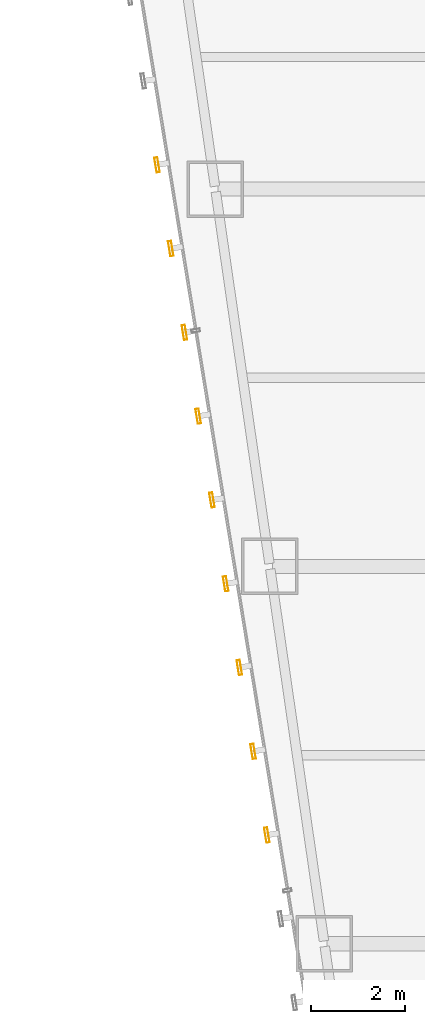
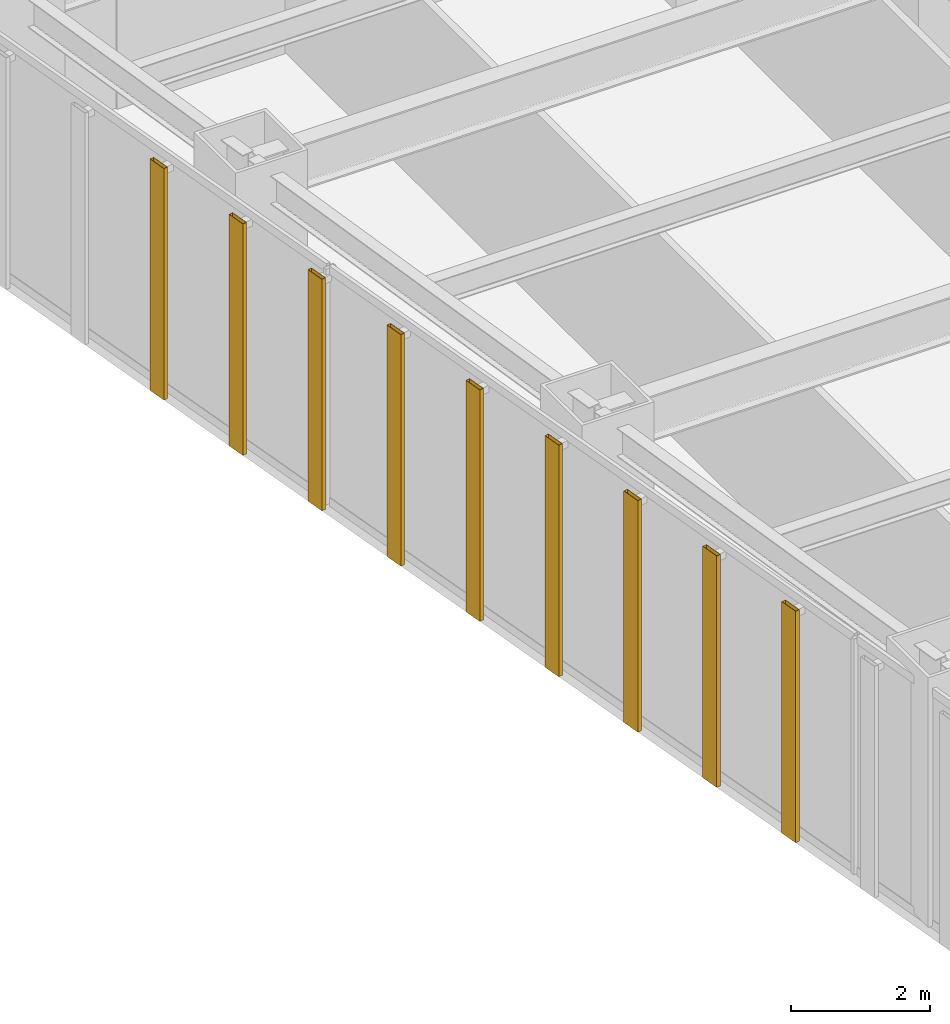
# One storey, part 43 of 47: 9 shading devices.
"""IFC4 building model written with IfcOpenShell, lengths in metres."""

from ifc_helpers import new_model, si_unit, direction, frame, origin, origin_2d, place, context, subcontext, project, spatial, hollow_rectangle, extrude, material, material_profile, profile_set, type_object, element, save


model = new_model("IFC4")

# Units and contexts
model_context = context("Model", 3, precision=1e-05, world=origin(), true_north=direction((0.0, 1.0)))
body_context = subcontext(model_context, "Body", "Model", "MODEL_VIEW")
ifc_project = project(units=[si_unit("LENGTHUNIT", "METRE"), si_unit("AREAUNIT", "SQUARE_METRE"), si_unit("VOLUMEUNIT", "CUBIC_METRE"), si_unit("PLANEANGLEUNIT", "RADIAN"), si_unit("MASSUNIT", "GRAM", prefix="KILO")], contexts=[model_context])

# Site, building, storey
site_placement = place(None, origin())
site = spatial("IfcSite", under=ifc_project, at=site_placement, CompositionType="ELEMENT")
building_placement = place(site_placement, origin())
building = spatial("IfcBuilding", under=site, at=building_placement, Name="Saevonmaru Cultural Tower", CompositionType="ELEMENT")
storey_placement = place(building_placement, frame((0.0, 0.0, 47.199951171875)))
storey = spatial("IfcBuildingStorey", under=building, at=storey_placement, Name="L09", CompositionType="ELEMENT", Elevation=47.199951171875)

# Shading devices
ifc_material = material(Name="Satin Bronze Anodised Aluminium", Category="aluminium")
ifc_material_profile = material_profile(ifc_material, hollow_rectangle(XDim=0.070068359375, YDim=0.320068359375, WallThickness=0.0048828125, at=origin_2d()), Name="FIN-320x70")
ifc_profile_set = profile_set([ifc_material_profile], Name="Satin Bronze Anodised Aluminium")
shading_device_type = type_object("IfcShadingDeviceType", Name="SHD-FIN-320", PredefinedType="JALOUSIE", material=ifc_profile_set)
for number, where, z_axis, x_axis, name in (
    (1, (7.0810546875, 32.513916015625, 0.050048828125), (0.0, 0.0, 1.0), (-0.986827496189, -0.161776057456, 0.0), "L09 Art Deco Sawtooth Bronze Fin E12-12"),
    (2, (7.3720703125, 30.737548828125, 0.050048828125), (0.0, 0.0, 1.0), (-0.986827496189, -0.161776057456, 0.0), "L09 Art Deco Sawtooth Bronze Fin E12-13"),
    (3, (7.6630859375, 28.961181640625, 0.050048828125), (0.0, 0.0, 1.0), (-0.986827496189, -0.161776057456, 0.0), "L09 Art Deco Sawtooth Bronze Fin E12-14"),
    (4, (7.9541015625, 27.184814453125, 0.050048828125), (0.0, 0.0, 1.0), (-0.986827496189, -0.161776057456, 0.0), "L09 Art Deco Sawtooth Bronze Fin E12-15"),
    (5, (8.245361328125, 25.40869140625, 0.050048828125), (0.0, 0.0, 1.0), (-0.986827496189, -0.161776057456, 0.0), "L09 Art Deco Sawtooth Bronze Fin E12-16"),
    (6, (8.536376953125, 23.63232421875, 0.050048828125), (0.0, 0.0, 1.0), (-0.986827496189, -0.161776057456, 0.0), "L09 Art Deco Sawtooth Bronze Fin E12-17"),
    (7, (8.827392578125, 21.85595703125, 0.050048828125), (0.0, 0.0, 1.0), (-0.986827496189, -0.161776057456, 0.0), "L09 Art Deco Sawtooth Bronze Fin E12-18"),
    (8, (9.118408203125, 20.07958984375, 0.050048828125), (0.0, 0.0, 1.0), (-0.986827496189, -0.161776057456, 0.0), "L09 Art Deco Sawtooth Bronze Fin E12-19"),
    (9, (9.40966796875, 18.30322265625, 0.050048828125), (0.0, 0.0, 1.0), (-0.986827496189, -0.161776057456, 0.0), "L09 Art Deco Sawtooth Bronze Fin E12-20"),
):
    element("IfcShadingDevice", number, at=place(storey_placement, frame(where, z_axis=z_axis, x_axis=x_axis)), inside=storey, type_object=shading_device_type, Name=name, PredefinedType="JALOUSIE", context=body_context, shape_type="SweptSolid", body=[
        extrude(hollow_rectangle(XDim=0.070068359375, YDim=0.320068359375, WallThickness=0.0048828125, at=origin_2d()), origin(), (0.0, 0.0, 1.0), 4.080078125),
    ])

save(model, "model.ifc")
